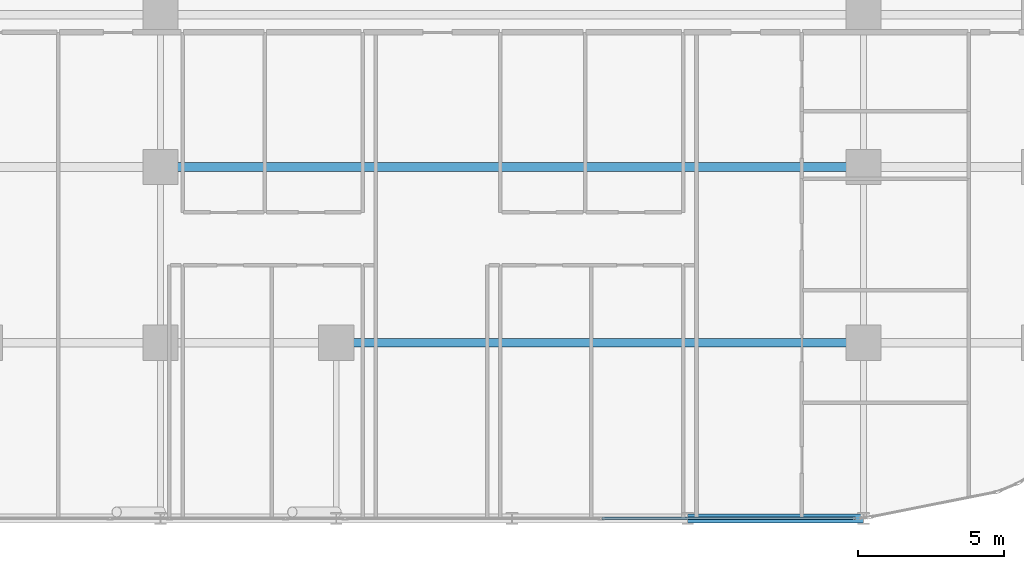
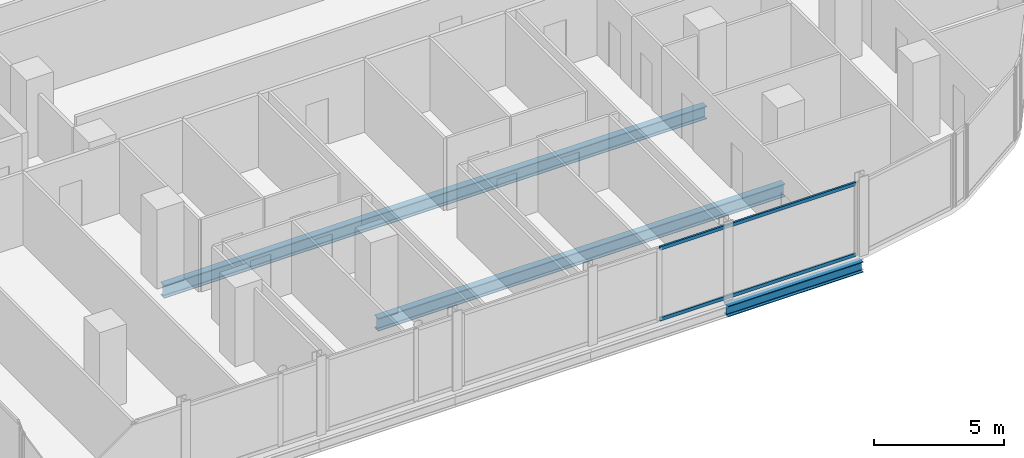
# One storey, part 9 of 33: 3 beams, 2 members, 1 element without a shape of its own.
"""IFC4 building model written with IfcOpenShell, lengths in metres."""

from ifc_helpers import new_model, si_unit, direction, frame, origin, origin_2d, place, context, subcontext, project, spatial, hollow_rectangle, i_section, extrude, material, layer, layer_set, material_profile, profile_set, type_object, element, aggregate, save


model = new_model("IFC4")

# Units and contexts
model_context = context("Model", 3, precision=1e-05, world=origin(), true_north=direction((0.0, 1.0)))
body_context = subcontext(model_context, "Body", "Model", "MODEL_VIEW")
ifc_project = project(units=[si_unit("LENGTHUNIT", "METRE"), si_unit("AREAUNIT", "SQUARE_METRE"), si_unit("VOLUMEUNIT", "CUBIC_METRE"), si_unit("PLANEANGLEUNIT", "RADIAN"), si_unit("MASSUNIT", "GRAM", prefix="KILO")], contexts=[model_context])

# Site, building, storey
site_placement = place(None, origin())
site = spatial("IfcSite", under=ifc_project, at=site_placement, CompositionType="ELEMENT")
building_placement = place(site_placement, origin())
building = spatial("IfcBuilding", under=site, at=building_placement, Name="Keshet Zoharim Tower", CompositionType="ELEMENT")
storey_placement = place(building_placement, frame((0.0, 0.0, 73.800048828125)))
storey = spatial("IfcBuildingStorey", under=building, at=storey_placement, Name="L17", CompositionType="ELEMENT", Elevation=73.800048828125)

# Beams
ifc_material_1 = material(Name="Steel S355", Category="steel")
ifc_material_profile_1 = material_profile(ifc_material_1, i_section(OverallWidth=0.300048828125, OverallDepth=0.60009765625, WebThickness=0.015380859375, FlangeThickness=0.030029296875, FilletRadius=0.027099609375, at=origin_2d()), Name="HEB600")
ifc_profile_set_1 = profile_set([ifc_material_profile_1], Name="Steel S355")
beam_type_1 = type_object("IfcBeamType", Name="BM-LNG-HB600", PredefinedType="BEAM", material=ifc_profile_set_1)
beam_1_placement = place(storey_placement, frame((39.0, 6.699951171875, -0.614990234375), z_axis=(1.0, 0.0, 0.0), x_axis=(0.0, 1.0, 0.0)))
element("IfcBeam", 1, at=beam_1_placement, inside=storey, type_object=beam_type_1, Name="L17 Primary Girder X-009", PredefinedType="BEAM", context=body_context, shape_type="SweptSolid", body=[
    extrude(i_section(OverallWidth=0.300048828125, OverallDepth=0.60009765625, WebThickness=0.015380859375, FlangeThickness=0.030029296875, FilletRadius=0.027099609375, at=origin_2d()), origin(), (0.0, 0.0, 1.0), 18.0),
])
beam_2_placement = place(storey_placement, frame((33.0, 12.699951171875, -0.614990234375), z_axis=(1.0, 0.0, 0.0), x_axis=(0.0, 1.0, 0.0)))
element("IfcBeam", 2, at=beam_2_placement, inside=storey, type_object=beam_type_1, Name="L17 Primary Girder X-012", PredefinedType="BEAM", context=body_context, shape_type="SweptSolid", body=[
    extrude(i_section(OverallWidth=0.300048828125, OverallDepth=0.60009765625, WebThickness=0.015380859375, FlangeThickness=0.030029296875, FilletRadius=0.027099609375, at=origin_2d()), origin(), (0.0, 0.0, 1.0), 24.0),
])
ifc_material_profile_2 = material_profile(ifc_material_1, i_section(OverallWidth=0.300048828125, OverallDepth=0.5, WebThickness=0.014404296875, FlangeThickness=0.028076171875, FilletRadius=0.027099609375, at=origin_2d()), Name="HEB500")
ifc_profile_set_2 = profile_set([ifc_material_profile_2], Name="Steel S355")
beam_type_2 = type_object("IfcBeamType", Name="BM-WEB-HB500", PredefinedType="BEAM", material=ifc_profile_set_2)
beam_3_placement = place(storey_placement, frame((51.0, 0.699951171875, -0.56494140625), z_axis=(1.0, 0.0, 0.0), x_axis=(0.0, 1.0, 0.0)))
element("IfcBeam", 3, at=beam_3_placement, inside=storey, type_object=beam_type_2, Name="L17 Primary Girder X-005", PredefinedType="BEAM", context=body_context, shape_type="SweptSolid", body=[
    extrude(i_section(OverallWidth=0.300048828125, OverallDepth=0.5, WebThickness=0.014404296875, FlangeThickness=0.028076171875, FilletRadius=0.027099609375, at=origin_2d()), origin(), (0.0, 0.0, 1.0), 6.0),
])

# Curtain wall, members
ifc_material_2 = material(Name="Aluminium 6063-T6", Category="aluminium")
ifc_layer = layer(ifc_material_2, 0.179931640625)
ifc_layer_set = layer_set([ifc_layer], Name="Aluminium 6063-T6")
curtain_wall_type = type_object("IfcCurtainWallType", Name="CW-SYS-01", PredefinedType="NOTDEFINED", material=ifc_layer_set)
curtain_wall_placement = place(storey_placement, origin())
curtain_wall = element("IfcCurtainWall", 4, at=curtain_wall_placement, inside=storey, type_object=curtain_wall_type, Name="L17 Unitised Curtain Wall 26", PredefinedType="NOTDEFINED")
ifc_material_profile_3 = material_profile(ifc_material_2, hollow_rectangle(XDim=0.0849609375, YDim=0.159912109375, WallThickness=0.00439453125, at=origin_2d()), Name="TRN-85x160")
ifc_profile_set_3 = profile_set([ifc_material_profile_3], Name="Aluminium 6063-T6")
member_type = type_object("IfcMemberType", Name="CWT-T16", PredefinedType="USERDEFINED", material=ifc_profile_set_3)
member_1_placement = place(storey_placement, frame((56.73291015625, 0.699951171875, 0.034912109375), z_axis=(-1.0, 0.0, 0.0), x_axis=(0.0, -1.0, 0.0)))
member_1 = element("IfcMember", 5, at=member_1_placement, type_object=member_type, Name="CW-01 transom 1.1", ObjectType="TRANSOM", PredefinedType="USERDEFINED", context=body_context, shape_type="SweptSolid", body=[
    extrude(hollow_rectangle(XDim=0.0849609375, YDim=0.159912109375, WallThickness=0.00439453125, at=origin_2d()), origin(), (0.0, 0.0, 1.0), 8.6650390625),
])
member_2_placement = place(storey_placement, frame((56.73291015625, 0.699951171875, 3.349853515625), z_axis=(-1.0, 0.0, 0.0), x_axis=(0.0, -1.0, 0.0)))
member_2 = element("IfcMember", 6, at=member_2_placement, type_object=member_type, Name="CW-01 transom 1.2", ObjectType="TRANSOM", PredefinedType="USERDEFINED", context=body_context, shape_type="SweptSolid", body=[
    extrude(hollow_rectangle(XDim=0.0849609375, YDim=0.159912109375, WallThickness=0.00439453125, at=origin_2d()), origin(), (0.0, 0.0, 1.0), 8.6650390625),
])
aggregate(curtain_wall, [member_1, member_2])

save(model, "model.ifc")
